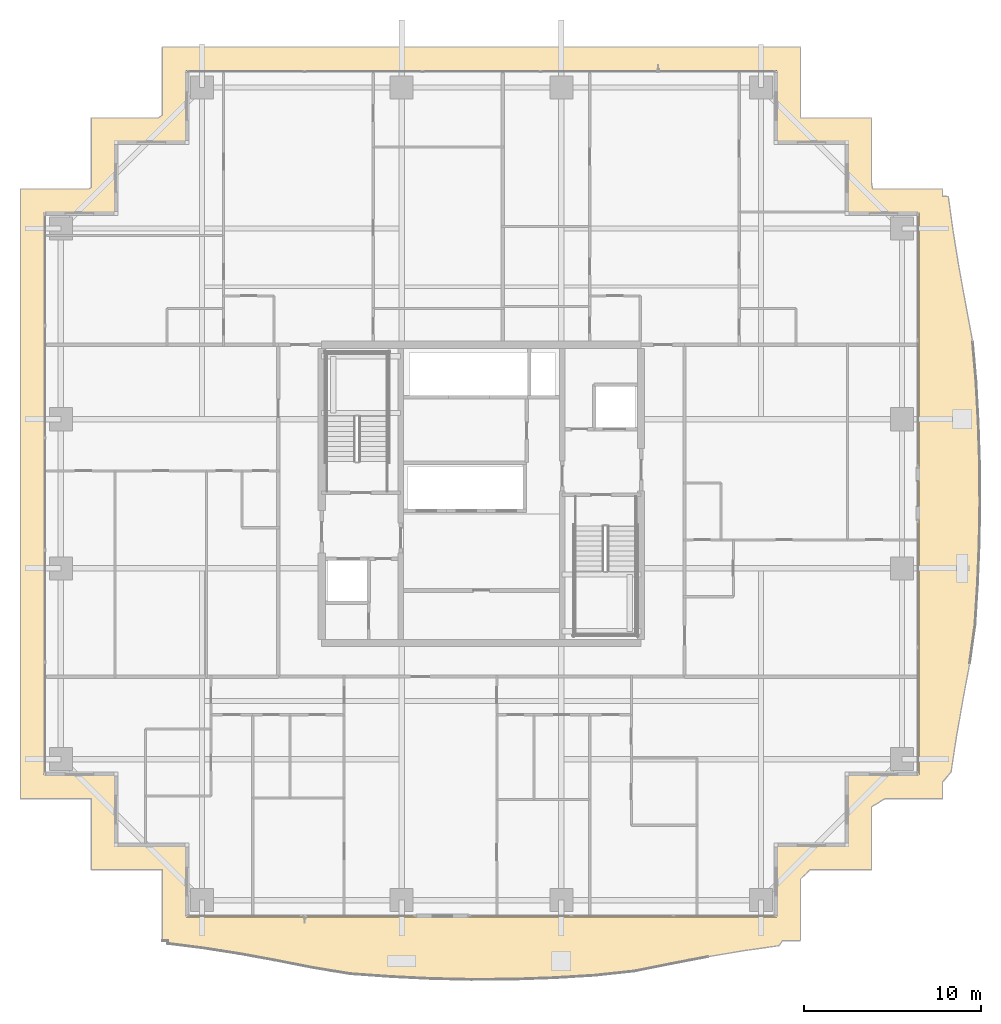
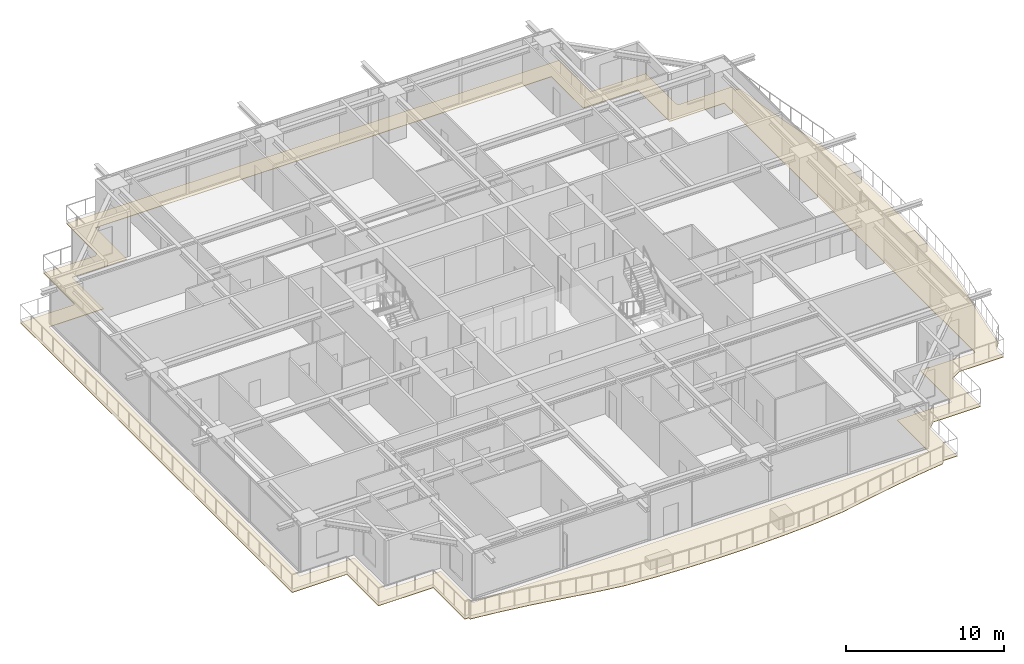
# One storey, part 34 of 36: 1 covering.
"""IFC4 building model written with IfcOpenShell, lengths in metres."""

from ifc_helpers import new_model, si_unit, direction, frame, origin, place, context, subcontext, project, spatial, polyline, outline, extrude, material, layer, layer_set, type_object, element, save


model = new_model("IFC4")

# Units and contexts
model_context = context("Model", 3, precision=1e-05, world=origin(), true_north=direction((0.0, 1.0)))
body_context = subcontext(model_context, "Body", "Model", "MODEL_VIEW")
ifc_project = project(units=[si_unit("LENGTHUNIT", "METRE"), si_unit("AREAUNIT", "SQUARE_METRE"), si_unit("VOLUMEUNIT", "CUBIC_METRE"), si_unit("PLANEANGLEUNIT", "RADIAN"), si_unit("MASSUNIT", "GRAM", prefix="KILO")], contexts=[model_context])

# Site, building, storey
site_placement = place(None, origin())
site = spatial("IfcSite", under=ifc_project, at=site_placement, CompositionType="ELEMENT")
building_placement = place(site_placement, origin())
building = spatial("IfcBuilding", under=site, at=building_placement, Name="Serunith Strait Residences", CompositionType="ELEMENT")
storey_placement = place(building_placement, frame((0.0, 0.0, 146.39990234375)))
storey = spatial("IfcBuildingStorey", under=building, at=storey_placement, Name="L36", CompositionType="ELEMENT", Elevation=146.39990234375)

# Covering
ifc_material = material(Name="Golden Teak Exterior Timber Boarding", Category="wood")
ifc_layer = layer(ifc_material, 0.034912109375, Name="Golden Teak Exterior Timber Boarding")
ifc_layer_set = layer_set([ifc_layer], Name="Golden Teak Exterior Timber Boarding")
covering_type = type_object("IfcCoveringType", Name="COV-TEAK-SOFFIT", PredefinedType="CEILING", material=ifc_layer_set)
covering_placement = place(storey_placement, frame((0.0, 0.0, -0.324951171875)))
element("IfcCovering", 1, at=covering_placement, inside=storey, type_object=covering_type, Name="L36 Golden-Teak Balcony Soffit Lining", PredefinedType="CEILING", context=body_context, shape_type="SweptSolid", body=[
    extrude(outline(polyline([(14.419921875, 0.02001953125), (14.419921875, 4.02001953125), (10.419921875, 4.02001953125), (10.419921875, 8.02001953125), (6.419921875, 8.02001953125), (6.419921875, 42.3798828125), (10.284912109375, 42.3798828125), (10.419921875, 42.47802734375), (10.419921875, 46.3798828125), (14.1982421875, 46.3798828125), (14.419921875, 46.55908203125), (14.419921875, 50.3798828125), (50.3798828125, 50.3798828125), (50.3798828125, 46.3798828125), (54.3798828125, 46.3798828125), (54.3798828125, 42.75341796875), (54.434814453125, 42.3798828125), (58.3798828125, 42.3798828125), (58.3798828125, 41.97314453125), (58.707763671875, 41.9541015625), (58.984619140625, 39.951171875), (59.314697265625, 37.927978515625), (59.689208984375, 35.867919921875), (60.084228515625, 33.7529296875), (60.27587890625, 31.52685546875), (60.400390625, 29.259765625), (60.475341796875, 26.968994140625), (60.49365234375, 24.6669921875), (60.453369140625, 22.3681640625), (60.3583984375, 20.085693359375), (60.217529296875, 17.8310546875), (59.915283203125, 15.655517578125), (59.525634765625, 13.56689453125), (59.168701171875, 11.525390625), (58.861083984375, 9.51318359375), (58.3798828125, 8.947998046875), (58.3798828125, 8.02001953125), (55.145751953125, 8.02001953125), (54.3798828125, 7.5615234375), (54.3798828125, 4.02001953125), (50.92578125, 4.02001953125), (50.3798828125, 3.493896484375), (50.3798828125, 0.02001953125), (49.368896484375, 0.02001953125), (49.1640625, -0.26708984375), (47.167236328125, -0.548095703125), (45.15234375, -0.88916015625), (43.1005859375, -1.282470703125), (40.9912109375, -1.7041015625), (38.76708984375, -1.941650390625), (36.488037109375, -2.078857421875), (34.181884765625, -2.159423828125), (31.86328125, -2.175048828125), (29.549072265625, -2.123779296875), (27.2548828125, -2.011474609375), (24.99365234375, -1.84912109375), (22.829345703125, -1.493408203125), (20.750244140625, -1.0810546875), (18.718505859375, -0.711181640625), (16.714111328125, -0.3994140625), (14.720703125, -0.147216796875), (14.72216796875, 0.02001953125), (14.419921875, 0.02001953125)]), holes=[polyline([(49.054931640625, 1.344970703125), (49.054931640625, 5.344970703125), (53.054931640625, 5.344970703125), (53.054931640625, 9.344970703125), (57.054931640625, 9.344970703125), (57.054931640625, 41.054931640625), (53.054931640625, 41.054931640625), (53.054931640625, 45.054931640625), (49.054931640625, 45.054931640625), (49.054931640625, 49.054931640625), (15.7451171875, 49.054931640625), (15.7451171875, 45.054931640625), (11.7451171875, 45.054931640625), (11.7451171875, 41.054931640625), (7.7451171875, 41.054931640625), (7.7451171875, 9.344970703125), (11.7451171875, 9.344970703125), (11.7451171875, 5.344970703125), (15.7451171875, 5.344970703125), (15.7451171875, 1.344970703125), (49.054931640625, 1.344970703125)])]), origin(), (0.0, 0.0, 1.0), 0.03515625),
])

save(model, "model.ifc")
